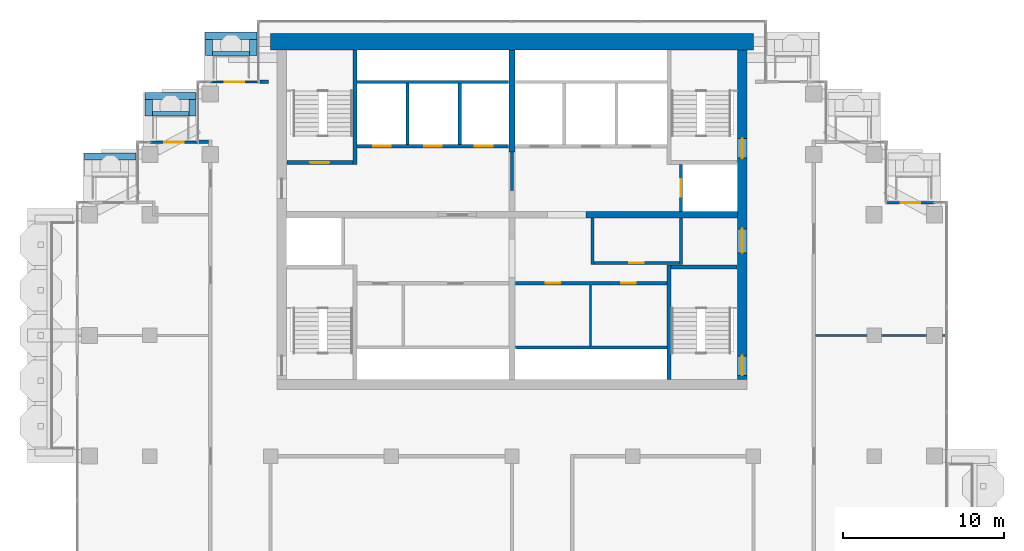
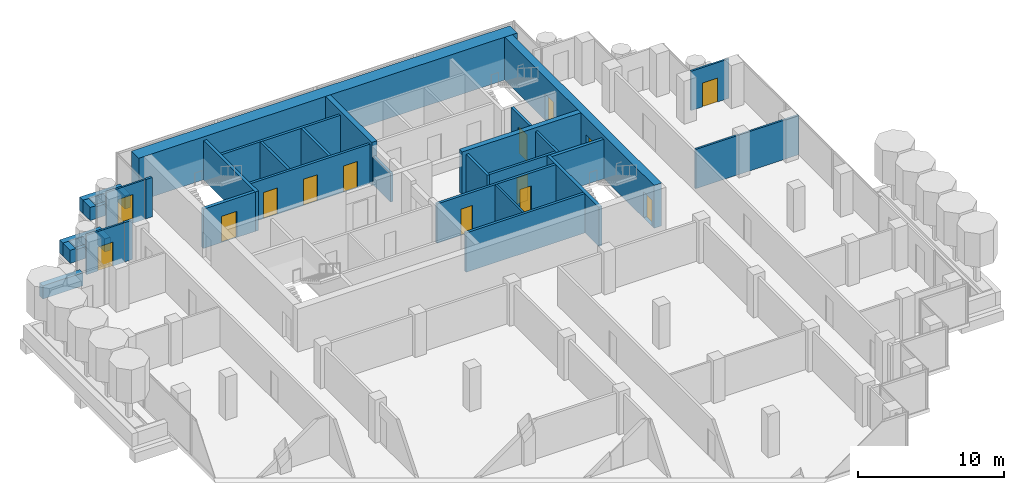
# One storey, part 13 of 17: 35 walls, 14 doors, 14 openings.
"""IFC4 building model written with IfcOpenShell, lengths in metres."""

from ifc_helpers import new_model, si_unit, direction, frame, frame_2d, origin, place, context, subcontext, project, spatial, rectangle, extrude, material, layer, layer_set, type_object, element, fill, save


model = new_model("IFC4")

# Units and contexts
model_context = context("Model", 3, precision=1e-05, world=origin(), true_north=direction((0.0, 1.0)))
body_context = subcontext(model_context, "Body", "Model", "MODEL_VIEW")
ifc_project = project(units=[si_unit("LENGTHUNIT", "METRE"), si_unit("AREAUNIT", "SQUARE_METRE"), si_unit("VOLUMEUNIT", "CUBIC_METRE"), si_unit("PLANEANGLEUNIT", "RADIAN"), si_unit("MASSUNIT", "GRAM", prefix="KILO")], contexts=[model_context])

# Site, building, storey
site_placement = place(None, origin())
site = spatial("IfcSite", under=ifc_project, at=site_placement, CompositionType="ELEMENT")
building_placement = place(site_placement, origin())
building = spatial("IfcBuilding", under=site, at=building_placement, Name="Pilkhan Gate Tower", CompositionType="ELEMENT")
storey_placement = place(building_placement, frame((0.0, 0.0, 206.699951171875)))
storey = spatial("IfcBuildingStorey", under=building, at=storey_placement, Name="L53", CompositionType="ELEMENT", Elevation=206.699951171875)

# Walls
ifc_material_1 = material(Name="Concrete C40/50", Category="concrete")
ifc_layer_1 = layer(ifc_material_1, 0.25)
ifc_layer_set_1 = layer_set([ifc_layer_1], Name="Balcony planter BP250")
wall_type_1 = type_object("IfcWallType", Name="Balcony planter BP250", PredefinedType="USERDEFINED", material=ifc_layer_set_1)
wall_1_placement = place(storey_placement, frame((56.39990234375, 92.52490234375, 0.0), z_axis=(0.0, 0.0, 1.0), x_axis=(1.0, 0.0, 0.0)))
element("IfcWall", 1, at=wall_1_placement, inside=storey, type_object=wall_type_1, Name="Balcony planter L53 N", ObjectType="BALCONY PLANTER", PredefinedType="USERDEFINED", context=body_context, shape_type="SweptSolid", body=[
    extrude(rectangle(XDim=2.300048828125, YDim=0.25, at=frame_2d((1.14990234375, 0.0))), origin(), (0.0, 0.0, 1.0), 1.0),
])
wall_2_placement = place(storey_placement, frame((52.64990234375, 88.77490234375, 0.0), z_axis=(0.0, 0.0, 1.0), x_axis=(1.0, 0.0, 0.0)))
element("IfcWall", 2, at=wall_2_placement, inside=storey, type_object=wall_type_1, Name="Balcony planter L53 N", ObjectType="BALCONY PLANTER", PredefinedType="USERDEFINED", context=body_context, shape_type="SweptSolid", body=[
    extrude(rectangle(XDim=2.280029296875, YDim=0.25, at=frame_2d((1.14013671875, 0.0))), origin(), (0.0, 0.0, 1.0), 1.0),
])
ifc_material_2 = material(Name="Board-marked Concrete C40/50", Category="concrete")
ifc_layer_2 = layer(ifc_material_2, 0.449951171875)
ifc_layer_set_2 = layer_set([ifc_layer_2], Name="Balcony planter lip BL450")
wall_type_2 = type_object("IfcWallType", Name="Balcony planter lip BL450", PredefinedType="USERDEFINED", material=ifc_layer_set_2)
wall_3_placement = place(storey_placement, frame((55.949951171875, 93.625, 0.0), z_axis=(0.0, 0.0, 1.0), x_axis=(1.0, 0.0, 0.0)))
element("IfcWall", 3, at=wall_3_placement, inside=storey, type_object=wall_type_2, Name="Balcony planter L53 N", ObjectType="BALCONY PLANTER", PredefinedType="USERDEFINED", context=body_context, shape_type="SweptSolid", body=[
    extrude(rectangle(XDim=3.199951171875, YDim=0.449951171875, at=frame_2d((1.60009765625, 0.0))), origin(), (0.0, 0.0, 1.0), 1.10009765625),
])
for number, where, z_axis, x_axis, name in (
    (4, (56.175048828125, 92.39990234375, 0.0), (0.0, 0.0, 1.0), (0.0, 1.0, 0.0), "Balcony planter L53 N"),
    (5, (58.925048828125, 92.39990234375, 0.0), (0.0, 0.0, 1.0), (0.0, 1.0, 0.0), "Balcony planter L53 N"),
):
    element("IfcWall", number, at=place(storey_placement, frame(where, z_axis=z_axis, x_axis=x_axis)), inside=storey, type_object=wall_type_2, Name=name, ObjectType="BALCONY PLANTER", PredefinedType="USERDEFINED", context=body_context, shape_type="SweptSolid", body=[
        extrude(rectangle(XDim=1.0, YDim=0.449951171875, at=frame_2d((0.5, 0.0))), origin(), (0.0, 0.0, 1.0), 1.10009765625),
    ])
wall_4_placement = place(storey_placement, frame((52.199951171875, 89.875, 0.0), z_axis=(0.0, 0.0, 1.0), x_axis=(1.0, 0.0, 0.0)))
element("IfcWall", 6, at=wall_4_placement, inside=storey, type_object=wall_type_2, Name="Balcony planter L53 N", ObjectType="BALCONY PLANTER", PredefinedType="USERDEFINED", context=body_context, shape_type="SweptSolid", body=[
    extrude(rectangle(XDim=3.179931640625, YDim=0.449951171875, at=frame_2d((1.58984375, 0.0))), origin(), (0.0, 0.0, 1.0), 1.10009765625),
])
for number, where, z_axis, x_axis, name in (
    (7, (52.425048828125, 88.64990234375, 0.0), (0.0, 0.0, 1.0), (0.0, 1.0, 0.0), "Balcony planter L53 N"),
    (8, (55.155029296875, 88.64990234375, 0.0), (0.0, 0.0, 1.0), (0.0, 1.0, 0.0), "Balcony planter L53 N"),
):
    element("IfcWall", number, at=place(storey_placement, frame(where, z_axis=z_axis, x_axis=x_axis)), inside=storey, type_object=wall_type_2, Name=name, ObjectType="BALCONY PLANTER", PredefinedType="USERDEFINED", context=body_context, shape_type="SweptSolid", body=[
        extrude(rectangle(XDim=1.0, YDim=0.449951171875, at=frame_2d((0.5, 0.0))), origin(), (0.0, 0.0, 1.0), 1.10009765625),
    ])
wall_5_placement = place(storey_placement, frame((48.449951171875, 86.125, 0.0), z_axis=(0.0, 0.0, 1.0), x_axis=(1.0, 0.0, 0.0)))
element("IfcWall", 9, at=wall_5_placement, inside=storey, type_object=wall_type_2, Name="Balcony planter L53 N", ObjectType="BALCONY PLANTER", PredefinedType="USERDEFINED", context=body_context, shape_type="SweptSolid", body=[
    extrude(rectangle(XDim=3.179931640625, YDim=0.449951171875, at=frame_2d((1.58984375, 0.0))), origin(), (0.0, 0.0, 1.0), 1.10009765625),
])
ifc_material_3 = material(Name="Concrete C50/60", Category="concrete")
ifc_layer_3 = layer(ifc_material_3, 1.0)
ifc_layer_set_3 = layer_set([ifc_layer_3], Name="Core wall CW1000 C50/60")
wall_type_3 = type_object("IfcWallType", Name="Core wall CW1000 C50/60", PredefinedType="SHEAR", material=ifc_layer_set_3)
wall_6_placement = place(storey_placement, frame((90.0, 93.25, 0.0), z_axis=(0.0, 0.0, 1.0), x_axis=(-1.0, 0.0, 0.0)))
element("IfcWall", 10, at=wall_6_placement, inside=storey, type_object=wall_type_3, Name="Core wall N L53", PredefinedType="SHEAR", context=body_context, shape_type="SweptSolid", body=[
    extrude(rectangle(XDim=30.0, YDim=1.0, at=frame_2d((15.0, 0.0))), origin(), (0.0, 0.0, 1.0), 3.60009765625),
])

# Wall, openings, doors
ifc_layer_4 = layer(ifc_material_3, 0.60009765625)
ifc_layer_set_4 = layer_set([ifc_layer_4], Name="Core wall CW600 C50/60")
wall_type_4 = type_object("IfcWallType", Name="Core wall CW600 C50/60", PredefinedType="SHEAR", material=ifc_layer_set_4)
wall_7_placement = place(storey_placement, frame((89.300048828125, 72.25, 0.0), z_axis=(0.0, 0.0, 1.0), x_axis=(0.0, 1.0, 0.0)))
wall_7 = element("IfcWall", 11, at=wall_7_placement, inside=storey, type_object=wall_type_4, Name="Core wall E L53", PredefinedType="SHEAR", context=body_context, shape_type="SweptSolid", body=[
    extrude(rectangle(XDim=20.5, YDim=0.60009765625, at=frame_2d((10.25, 0.0))), origin(), (0.0, 0.0, 1.0), 3.60009765625),
])
opening_1_placement = place(wall_7_placement, frame((0.27490234375, 0.0, 0.0)))
opening_1 = element("IfcOpeningElement", 12, at=opening_1_placement, cuts=wall_7, Name="Opening L53-03", PredefinedType="OPENING", context=body_context, shape_type="SweptSolid", body=[
    extrude(rectangle(XDim=1.199951171875, YDim=2.199951171875, at=frame_2d((0.60009765625, 1.10009765625))), frame((0.0, 0.31005859375, 0.0), z_axis=(0.0, -1.0, 0.0), x_axis=(1.0, 0.0, 0.0)), (0.0, 0.0, 1.0), 0.6201171875),
])
opening_2_placement = place(wall_7_placement, frame((13.77490234375, 0.0, 0.0)))
opening_2 = element("IfcOpeningElement", 13, at=opening_2_placement, cuts=wall_7, Name="Opening L53-05", PredefinedType="OPENING", context=body_context, shape_type="SweptSolid", body=[
    extrude(rectangle(XDim=1.199951171875, YDim=2.199951171875, at=frame_2d((0.60009765625, 1.10009765625))), frame((0.0, 0.31005859375, 0.0), z_axis=(0.0, -1.0, 0.0), x_axis=(1.0, 0.0, 0.0)), (0.0, 0.0, 1.0), 0.6201171875),
])
opening_3_placement = place(wall_7_placement, frame((7.875, 0.0, 0.0)))
opening_3 = element("IfcOpeningElement", 14, at=opening_3_placement, cuts=wall_7, Name="Opening L53-06", PredefinedType="OPENING", context=body_context, shape_type="SweptSolid", body=[
    extrude(rectangle(XDim=1.5, YDim=2.199951171875, at=frame_2d((0.75, 1.10009765625))), frame((0.0, 0.31005859375, 0.0), z_axis=(0.0, -1.0, 0.0), x_axis=(1.0, 0.0, 0.0)), (0.0, 0.0, 1.0), 0.6201171875),
])
ifc_material_4 = material(Name="Steel framed glazed door, 60 minute fire resisting", Category="steel")
door_type_1 = type_object("IfcDoorType", Name="Lobby door D09 1500x2200", OperationType="DOUBLE_DOOR_SINGLE_SWING", PredefinedType="DOOR", material=ifc_material_4)
door_1_placement = place(opening_3_placement, origin())
door_1 = element("IfcDoor", 15, at=door_1_placement, inside=storey, type_object=door_type_1, Name="Core door", OperationType="DOUBLE_DOOR_SINGLE_SWING", OverallHeight=2.199951171875, OverallWidth=1.5, PredefinedType="DOOR", context=body_context, shape_type="SweptSolid", body=[
    extrude(rectangle(XDim=1.5, YDim=2.199951171875, at=frame_2d((0.75, 1.10009765625))), frame((0.0, 0.02490234375, 0.0), z_axis=(0.0, -1.0, 0.0), x_axis=(1.0, 0.0, 0.0)), (0.0, 0.0, 1.0), 0.050048828125),
])
fill(opening_3, door_1)
ifc_material_5 = material(Name="Steel door, 120 minute fire resisting, panic bar", Category="steel")
door_type_2 = type_object("IfcDoorType", Name="Stair door D11 1200x2200", OperationType="SINGLE_SWING_LEFT", PredefinedType="DOOR", material=ifc_material_5)
door_2_placement = place(opening_1_placement, origin())
door_2 = element("IfcDoor", 16, at=door_2_placement, inside=storey, type_object=door_type_2, Name="Stair ST1 door", OperationType="SINGLE_SWING_RIGHT", OverallHeight=2.199951171875, OverallWidth=1.199951171875, PredefinedType="DOOR", context=body_context, shape_type="SweptSolid", body=[
    extrude(rectangle(XDim=1.199951171875, YDim=2.199951171875, at=frame_2d((0.60009765625, 1.10009765625))), frame((0.0, 0.02490234375, 0.0), z_axis=(0.0, -1.0, 0.0), x_axis=(1.0, 0.0, 0.0)), (0.0, 0.0, 1.0), 0.050048828125),
])
fill(opening_1, door_2)
door_3_placement = place(opening_2_placement, origin())
door_3 = element("IfcDoor", 17, at=door_3_placement, inside=storey, type_object=door_type_2, Name="Stair ST4 door", OperationType="SINGLE_SWING_LEFT", OverallHeight=2.199951171875, OverallWidth=1.199951171875, PredefinedType="DOOR", context=body_context, shape_type="SweptSolid", body=[
    extrude(rectangle(XDim=1.199951171875, YDim=2.199951171875, at=frame_2d((0.60009765625, 1.10009765625))), frame((0.0, 0.02490234375, 0.0), z_axis=(0.0, -1.0, 0.0), x_axis=(1.0, 0.0, 0.0)), (0.0, 0.0, 1.0), 0.050048828125),
])
fill(opening_2, door_3)

# Walls
ifc_material_6 = material(Name="Dense blockwork", Category="masonry")
ifc_layer_5 = layer(ifc_material_6, 0.199951171875)
ifc_layer_set_5 = layer_set([ifc_layer_5], Name="Corridor wall FW200")
wall_type_5 = type_object("IfcWallType", Name="Corridor wall FW200", PredefinedType="PARTITIONING", material=ifc_layer_set_5)
wall_8_placement = place(storey_placement, frame((55.510009765625, 87.030029296875, 0.0), z_axis=(0.0, 0.0, 1.0), x_axis=(1.0, 0.0, 0.0)))
element("IfcWall", 18, at=wall_8_placement, inside=storey, type_object=wall_type_5, Name="Partition L53", PredefinedType="PARTITIONING", context=body_context, shape_type="SweptSolid", body=[
    extrude(rectangle(XDim=0.639892578125, YDim=0.199951171875, at=frame_2d((0.31982421875, 0.0))), origin(), (0.0, 0.0, 1.0), 3.300048828125),
])
wall_9_placement = place(storey_placement, frame((59.35498046875, 90.764892578125, 0.0), z_axis=(0.0, 0.0, 1.0), x_axis=(1.0, 0.0, 0.0)))
element("IfcWall", 19, at=wall_9_placement, inside=storey, type_object=wall_type_5, Name="Partition L53", PredefinedType="PARTITIONING", context=body_context, shape_type="SweptSolid", body=[
    extrude(rectangle(XDim=0.52490234375, YDim=0.199951171875, at=frame_2d((0.262451171875, 0.0))), origin(), (0.0, 0.0, 1.0), 3.300048828125),
])

# Wall, opening, door
ifc_material_7 = material(Name="Pale anodised aluminium, clear laminated glazing", Category="aluminium")
ifc_layer_6 = layer(ifc_material_7, 0.14990234375)
ifc_layer_set_6 = layer_set([ifc_layer_6], Name="Facade infill wall IW150")
wall_type_6 = type_object("IfcWallType", Name="Facade infill wall IW150", PredefinedType="SOLIDWALL", material=ifc_layer_set_6)
wall_10_placement = place(storey_placement, frame((98.25, 83.25, 0.0), z_axis=(0.0, 0.0, 1.0), x_axis=(1.0, 0.0, 0.0)))
wall_10 = element("IfcWall", 20, at=wall_10_placement, inside=storey, type_object=wall_type_6, Name="Infill wall L53 N", PredefinedType="SOLIDWALL", context=body_context, shape_type="SweptSolid", body=[
    extrude(rectangle(XDim=3.0, YDim=0.14990234375, at=frame_2d((1.5, 0.0))), origin(), (0.0, 0.0, 1.0), 3.300048828125),
])
opening_4_placement = place(wall_10_placement, frame((0.89990234375, 0.0, 0.0)))
opening_4 = element("IfcOpeningElement", 21, at=opening_4_placement, cuts=wall_10, Name="Opening D1L", PredefinedType="OPENING", context=body_context, shape_type="SweptSolid", body=[
    extrude(rectangle(XDim=1.199951171875, YDim=2.0, at=frame_2d((0.60009765625, 1.0))), frame((0.0, 0.0849609375, 0.0), z_axis=(0.0, -1.0, 0.0), x_axis=(1.0, 0.0, 0.0)), (0.0, 0.0, 1.0), 0.169921875),
])
ifc_material_8 = material(Name="Pale anodised aluminium, clear glazing", Category="aluminium")
door_type_3 = type_object("IfcDoorType", Name="Balcony door D1L 1200x2000", OperationType="SINGLE_SWING_LEFT", PredefinedType="DOOR", material=ifc_material_8)
door_4_placement = place(opening_4_placement, origin())
door_4 = element("IfcDoor", 22, at=door_4_placement, inside=storey, type_object=door_type_3, Name="Balcony door L53", OperationType="SINGLE_SWING_LEFT", OverallHeight=2.0, OverallWidth=1.199951171875, PredefinedType="DOOR", context=body_context, shape_type="SweptSolid", body=[
    extrude(rectangle(XDim=1.199951171875, YDim=2.0, at=frame_2d((0.60009765625, 1.0))), frame((0.0, 0.02490234375, 0.0), z_axis=(0.0, -1.0, 0.0), x_axis=(1.0, 0.0, 0.0)), (0.0, 0.0, 1.0), 0.050048828125),
])
fill(opening_4, door_4)

wall_11_placement = place(storey_placement, frame((56.25, 90.75, 0.0), z_axis=(0.0, 0.0, 1.0), x_axis=(1.0, 0.0, 0.0)))
wall_11 = element("IfcWall", 23, at=wall_11_placement, inside=storey, type_object=wall_type_6, Name="Infill wall L53 N", PredefinedType="SOLIDWALL", context=body_context, shape_type="SweptSolid", body=[
    extrude(rectangle(XDim=3.0, YDim=0.14990234375, at=frame_2d((1.5, 0.0))), origin(), (0.0, 0.0, 1.0), 3.300048828125),
])
opening_5_placement = place(wall_11_placement, frame((0.89990234375, 0.0, 0.0)))
opening_5 = element("IfcOpeningElement", 24, at=opening_5_placement, cuts=wall_11, Name="Opening D1", PredefinedType="OPENING", context=body_context, shape_type="SweptSolid", body=[
    extrude(rectangle(XDim=1.199951171875, YDim=2.39990234375, at=frame_2d((0.60009765625, 1.199951171875))), frame((0.0, 0.0849609375, 0.0), z_axis=(0.0, -1.0, 0.0), x_axis=(1.0, 0.0, 0.0)), (0.0, 0.0, 1.0), 0.169921875),
])
door_type_4 = type_object("IfcDoorType", Name="Balcony door D1 1200x2400", OperationType="SINGLE_SWING_LEFT", PredefinedType="DOOR", material=ifc_material_8)
door_5_placement = place(opening_5_placement, origin())
door_5 = element("IfcDoor", 25, at=door_5_placement, inside=storey, type_object=door_type_4, Name="Balcony door L53", OperationType="SINGLE_SWING_LEFT", OverallHeight=2.39990234375, OverallWidth=1.199951171875, PredefinedType="DOOR", context=body_context, shape_type="SweptSolid", body=[
    extrude(rectangle(XDim=1.199951171875, YDim=2.39990234375, at=frame_2d((0.60009765625, 1.199951171875))), frame((0.0, 0.02490234375, 0.0), z_axis=(0.0, -1.0, 0.0), x_axis=(1.0, 0.0, 0.0)), (0.0, 0.0, 1.0), 0.050048828125),
])
fill(opening_5, door_5)

wall_12_placement = place(storey_placement, frame((52.5, 87.0, 0.0), z_axis=(0.0, 0.0, 1.0), x_axis=(1.0, 0.0, 0.0)))
wall_12 = element("IfcWall", 26, at=wall_12_placement, inside=storey, type_object=wall_type_6, Name="Infill wall L53 N", PredefinedType="SOLIDWALL", context=body_context, shape_type="SweptSolid", body=[
    extrude(rectangle(XDim=3.0, YDim=0.14990234375, at=frame_2d((1.5, 0.0))), origin(), (0.0, 0.0, 1.0), 3.300048828125),
])
opening_6_placement = place(wall_12_placement, frame((0.89990234375, 0.0, 0.0)))
opening_6 = element("IfcOpeningElement", 27, at=opening_6_placement, cuts=wall_12, Name="Opening D1L", PredefinedType="OPENING", context=body_context, shape_type="SweptSolid", body=[
    extrude(rectangle(XDim=1.199951171875, YDim=2.0, at=frame_2d((0.60009765625, 1.0))), frame((0.0, 0.0849609375, 0.0), z_axis=(0.0, -1.0, 0.0), x_axis=(1.0, 0.0, 0.0)), (0.0, 0.0, 1.0), 0.169921875),
])
door_6_placement = place(opening_6_placement, origin())
door_6 = element("IfcDoor", 28, at=door_6_placement, inside=storey, type_object=door_type_3, Name="Balcony door L53", OperationType="SINGLE_SWING_LEFT", OverallHeight=2.0, OverallWidth=1.199951171875, PredefinedType="DOOR", context=body_context, shape_type="SweptSolid", body=[
    extrude(rectangle(XDim=1.199951171875, YDim=2.0, at=frame_2d((0.60009765625, 1.0))), frame((0.0, 0.02490234375, 0.0), z_axis=(0.0, -1.0, 0.0), x_axis=(1.0, 0.0, 0.0)), (0.0, 0.0, 1.0), 0.050048828125),
])
fill(opening_6, door_6)

# Wall
ifc_layer_7 = layer(ifc_material_6, 0.199951171875)
ifc_layer_set_7 = layer_set([ifc_layer_7], Name="Lobby wall LW200")
wall_type_7 = type_object("IfcWallType", Name="Lobby wall LW200", PredefinedType="PARTITIONING", material=ifc_layer_set_7)
wall_13_placement = place(storey_placement, frame((75.2099609375, 74.25, 0.0), z_axis=(0.0, 0.0, 1.0), x_axis=(1.0, 0.0, 0.0)))
element("IfcWall", 29, at=wall_13_placement, inside=storey, type_object=wall_type_7, Name="Partition L53", PredefinedType="PARTITIONING", context=body_context, shape_type="SweptSolid", body=[
    extrude(rectangle(XDim=9.4150390625, YDim=0.199951171875, at=frame_2d((4.70751953125, 0.0))), origin(), (0.0, 0.0, 1.0), 3.300048828125),
])

# Wall, openings, doors
wall_14_placement = place(storey_placement, frame((75.2099609375, 78.25, 0.0), z_axis=(0.0, 0.0, 1.0), x_axis=(1.0, 0.0, 0.0)))
wall_14 = element("IfcWall", 30, at=wall_14_placement, inside=storey, type_object=wall_type_7, Name="Partition L53", PredefinedType="PARTITIONING", context=body_context, shape_type="SweptSolid", body=[
    extrude(rectangle(XDim=9.4150390625, YDim=0.199951171875, at=frame_2d((4.70751953125, 0.0))), origin(), (0.0, 0.0, 1.0), 3.300048828125),
])
opening_7_placement = place(wall_14_placement, frame((1.89990234375, 0.0, 0.0)))
opening_7 = element("IfcOpeningElement", 31, at=opening_7_placement, cuts=wall_14, Name="Opening L53-11", PredefinedType="OPENING", context=body_context, shape_type="SweptSolid", body=[
    extrude(rectangle(XDim=0.89990234375, YDim=2.199951171875, at=frame_2d((0.449951171875, 1.10009765625))), frame((0.0, 0.10986328125, 0.0), z_axis=(0.0, -1.0, 0.0), x_axis=(1.0, 0.0, 0.0)), (0.0, 0.0, 1.0), 0.219970703125),
])
opening_8_placement = place(wall_14_placement, frame((6.56494140625, 0.0, 0.0)))
opening_8 = element("IfcOpeningElement", 32, at=opening_8_placement, cuts=wall_14, Name="Opening L53-12", PredefinedType="OPENING", context=body_context, shape_type="SweptSolid", body=[
    extrude(rectangle(XDim=0.89990234375, YDim=2.199951171875, at=frame_2d((0.449951171875, 1.10009765625))), frame((0.0, 0.10986328125, 0.0), z_axis=(0.0, -1.0, 0.0), x_axis=(1.0, 0.0, 0.0)), (0.0, 0.0, 1.0), 0.219970703125),
])
ifc_material_9 = material(Name="Timber flush door, 60 minute fire resisting, self-closing", Category="wood")
door_type_5 = type_object("IfcDoorType", Name="Store door D05 900x2200", OperationType="SINGLE_SWING_LEFT", PredefinedType="DOOR", material=ifc_material_9)
door_7_placement = place(opening_7_placement, origin())
door_7 = element("IfcDoor", 33, at=door_7_placement, inside=storey, type_object=door_type_5, Name="Store door", OperationType="SINGLE_SWING_LEFT", OverallHeight=2.199951171875, OverallWidth=0.89990234375, PredefinedType="DOOR", context=body_context, shape_type="SweptSolid", body=[
    extrude(rectangle(XDim=0.89990234375, YDim=2.199951171875, at=frame_2d((0.449951171875, 1.10009765625))), frame((0.0, 0.02490234375, 0.0), z_axis=(0.0, -1.0, 0.0), x_axis=(1.0, 0.0, 0.0)), (0.0, 0.0, 1.0), 0.050048828125),
])
fill(opening_7, door_7)
door_8_placement = place(opening_8_placement, origin())
door_8 = element("IfcDoor", 34, at=door_8_placement, inside=storey, type_object=door_type_5, Name="Store door", OperationType="SINGLE_SWING_RIGHT", OverallHeight=2.199951171875, OverallWidth=0.89990234375, PredefinedType="DOOR", context=body_context, shape_type="SweptSolid", body=[
    extrude(rectangle(XDim=0.89990234375, YDim=2.199951171875, at=frame_2d((0.449951171875, 1.10009765625))), frame((0.0, 0.02490234375, 0.0), z_axis=(0.0, -1.0, 0.0), x_axis=(1.0, 0.0, 0.0)), (0.0, 0.0, 1.0), 0.050048828125),
])
fill(opening_8, door_8)

# Wall, opening, door
wall_15_placement = place(storey_placement, frame((80.10009765625, 79.5, 0.0), z_axis=(0.0, 0.0, 1.0), x_axis=(1.0, 0.0, 0.0)))
wall_15 = element("IfcWall", 35, at=wall_15_placement, inside=storey, type_object=wall_type_7, Name="Partition L53", PredefinedType="PARTITIONING", context=body_context, shape_type="SweptSolid", body=[
    extrude(rectangle(XDim=5.2998046875, YDim=0.199951171875, at=frame_2d((2.64990234375, 0.0))), origin(), (0.0, 0.0, 1.0), 3.300048828125),
])
opening_9_placement = place(wall_15_placement, frame((2.199951171875, 0.0, 0.0)))
opening_9 = element("IfcOpeningElement", 36, at=opening_9_placement, cuts=wall_15, Name="Opening L53-07", PredefinedType="OPENING", context=body_context, shape_type="SweptSolid", body=[
    extrude(rectangle(XDim=0.89990234375, YDim=2.199951171875, at=frame_2d((0.449951171875, 1.10009765625))), frame((0.0, 0.10986328125, 0.0), z_axis=(0.0, -1.0, 0.0), x_axis=(1.0, 0.0, 0.0)), (0.0, 0.0, 1.0), 0.219970703125),
])
door_9_placement = place(opening_9_placement, origin())
door_9 = element("IfcDoor", 37, at=door_9_placement, inside=storey, type_object=door_type_5, Name="Store door", OperationType="SINGLE_SWING_RIGHT", OverallHeight=2.199951171875, OverallWidth=0.89990234375, PredefinedType="DOOR", context=body_context, shape_type="SweptSolid", body=[
    extrude(rectangle(XDim=0.89990234375, YDim=2.199951171875, at=frame_2d((0.449951171875, 1.10009765625))), frame((0.0, 0.02490234375, 0.0), z_axis=(0.0, -1.0, 0.0), x_axis=(1.0, 0.0, 0.0)), (0.0, 0.0, 1.0), 0.050048828125),
])
fill(opening_9, door_9)

# Walls
wall_16_placement = place(storey_placement, frame((75.0, 84.010009765625, 0.0), z_axis=(0.0, 0.0, 1.0), x_axis=(0.0, 1.0, 0.0)))
element("IfcWall", 38, at=wall_16_placement, inside=storey, type_object=wall_type_7, Name="Partition L53", PredefinedType="PARTITIONING", context=body_context, shape_type="SweptSolid", body=[
    extrude(rectangle(XDim=2.3798828125, YDim=0.199951171875, at=frame_2d((1.18994140625, 0.0))), origin(), (0.0, 0.0, 1.0), 2.400146484375),
])
for number, where, z_axis, x_axis, name in (
    (39, (80.0, 79.39990234375, 0.0), (0.0, 0.0, 1.0), (0.0, 1.0, 0.0), "Partition L53"),
    (40, (85.5, 79.39990234375, 0.0), (0.0, 0.0, 1.0), (0.0, 1.0, 0.0), "Partition L53"),
):
    element("IfcWall", number, at=place(storey_placement, frame(where, z_axis=z_axis, x_axis=x_axis)), inside=storey, type_object=wall_type_7, Name=name, PredefinedType="PARTITIONING", context=body_context, shape_type="SweptSolid", body=[
        extrude(rectangle(XDim=2.89013671875, YDim=0.199951171875, at=frame_2d((1.445068359375, 0.0))), origin(), (0.0, 0.0, 1.0), 3.300048828125),
    ])
ifc_material_10 = material(Name="Blockwork partition, plastered both sides", Category="masonry")
ifc_layer_8 = layer(ifc_material_10, 0.14990234375)
ifc_layer_set_8 = layer_set([ifc_layer_8], Name="Partition PW150")
wall_type_8 = type_object("IfcWallType", Name="Partition PW150", PredefinedType="PARTITIONING", material=ifc_layer_set_8)
wall_17_placement = place(storey_placement, frame((93.85009765625, 75.0, 0.0), z_axis=(0.0, 0.0, 1.0), x_axis=(1.0, 0.0, 0.0)))
element("IfcWall", 41, at=wall_17_placement, inside=storey, type_object=wall_type_8, Name="Partition L53", PredefinedType="PARTITIONING", context=body_context, shape_type="SweptSolid", body=[
    extrude(rectangle(XDim=8.164794921875, YDim=0.14990234375, at=frame_2d((4.08251953125, 0.0))), origin(), (0.0, 0.0, 1.0), 3.300048828125),
])
wall_18_placement = place(storey_placement, frame((79.875, 74.35009765625, 0.0), z_axis=(0.0, 0.0, 1.0), x_axis=(0.0, 1.0, 0.0)))
element("IfcWall", 42, at=wall_18_placement, inside=storey, type_object=wall_type_8, Name="Partition L53", PredefinedType="PARTITIONING", context=body_context, shape_type="SweptSolid", body=[
    extrude(rectangle(XDim=3.7998046875, YDim=0.14990234375, at=frame_2d((1.89990234375, 0.0))), origin(), (0.0, 0.0, 1.0), 3.300048828125),
])

# Wall, openings, doors
ifc_material_11 = material(Name="Reinforced blockwork shaft wall, 120 minute fire resisting", Category="masonry")
ifc_layer_9 = layer(ifc_material_11, 0.199951171875)
ifc_layer_set_9 = layer_set([ifc_layer_9], Name="Shaft wall SW200")
wall_type_9 = type_object("IfcWallType", Name="Shaft wall SW200", PredefinedType="PARTITIONING", material=ifc_layer_set_9)
wall_19_placement = place(storey_placement, frame((65.375, 86.75, 0.0), z_axis=(0.0, 0.0, 1.0), x_axis=(1.0, 0.0, 0.0)))
wall_19 = element("IfcWall", 43, at=wall_19_placement, inside=storey, type_object=wall_type_9, Name="Partition L53", PredefinedType="PARTITIONING", context=body_context, shape_type="SweptSolid", body=[
    extrude(rectangle(XDim=9.4150390625, YDim=0.199951171875, at=frame_2d((4.70751953125, 0.0))), origin(), (0.0, 0.0, 1.0), 3.300048828125),
])
opening_10_placement = place(wall_19_placement, frame((1.0, 0.0, 0.0)))
opening_10 = element("IfcOpeningElement", 44, at=opening_10_placement, cuts=wall_19, Name="Opening LD", PredefinedType="OPENING", context=body_context, shape_type="SweptSolid", body=[
    extrude(rectangle(XDim=1.10009765625, YDim=2.199951171875, at=frame_2d((0.550048828125, 1.10009765625))), frame((0.0, 0.10986328125, 0.0), z_axis=(0.0, -1.0, 0.0), x_axis=(1.0, 0.0, 0.0)), (0.0, 0.0, 1.0), 0.219970703125),
])
opening_11_placement = place(wall_19_placement, frame((4.175048828125, 0.0, 0.0)))
opening_11 = element("IfcOpeningElement", 45, at=opening_11_placement, cuts=wall_19, Name="Opening LD", PredefinedType="OPENING", context=body_context, shape_type="SweptSolid", body=[
    extrude(rectangle(XDim=1.10009765625, YDim=2.199951171875, at=frame_2d((0.550048828125, 1.10009765625))), frame((0.0, 0.10986328125, 0.0), z_axis=(0.0, -1.0, 0.0), x_axis=(1.0, 0.0, 0.0)), (0.0, 0.0, 1.0), 0.219970703125),
])
opening_12_placement = place(wall_19_placement, frame((7.324951171875, 0.0, 0.0)))
opening_12 = element("IfcOpeningElement", 46, at=opening_12_placement, cuts=wall_19, Name="Opening LD", PredefinedType="OPENING", context=body_context, shape_type="SweptSolid", body=[
    extrude(rectangle(XDim=1.10009765625, YDim=2.199951171875, at=frame_2d((0.550048828125, 1.10009765625))), frame((0.0, 0.10986328125, 0.0), z_axis=(0.0, -1.0, 0.0), x_axis=(1.0, 0.0, 0.0)), (0.0, 0.0, 1.0), 0.219970703125),
])
ifc_material_12 = material(Name="Stainless steel centre-opening landing door, 120 minute fire resisting", Category="steel")
door_type_6 = type_object("IfcDoorType", Name="Lift landing door LD 1100x2200", OperationType="DOUBLE_DOOR_SLIDING", PredefinedType="DOOR", material=ifc_material_12)
door_10_placement = place(opening_10_placement, origin())
door_10 = element("IfcDoor", 47, at=door_10_placement, inside=storey, type_object=door_type_6, Name="Landing door FF1", OperationType="DOUBLE_DOOR_SLIDING", OverallHeight=2.199951171875, OverallWidth=1.10009765625, PredefinedType="DOOR", context=body_context, shape_type="SweptSolid", body=[
    extrude(rectangle(XDim=1.10009765625, YDim=2.199951171875, at=frame_2d((0.550048828125, 1.10009765625))), frame((0.0, 0.02490234375, 0.0), z_axis=(0.0, -1.0, 0.0), x_axis=(1.0, 0.0, 0.0)), (0.0, 0.0, 1.0), 0.050048828125),
])
fill(opening_10, door_10)
door_11_placement = place(opening_11_placement, origin())
door_11 = element("IfcDoor", 48, at=door_11_placement, inside=storey, type_object=door_type_6, Name="Landing door FF2", OperationType="DOUBLE_DOOR_SLIDING", OverallHeight=2.199951171875, OverallWidth=1.10009765625, PredefinedType="DOOR", context=body_context, shape_type="SweptSolid", body=[
    extrude(rectangle(XDim=1.10009765625, YDim=2.199951171875, at=frame_2d((0.550048828125, 1.10009765625))), frame((0.0, 0.02490234375, 0.0), z_axis=(0.0, -1.0, 0.0), x_axis=(1.0, 0.0, 0.0)), (0.0, 0.0, 1.0), 0.050048828125),
])
fill(opening_11, door_11)
door_12_placement = place(opening_12_placement, origin())
door_12 = element("IfcDoor", 49, at=door_12_placement, inside=storey, type_object=door_type_6, Name="Landing door SV1", OperationType="DOUBLE_DOOR_SLIDING", OverallHeight=2.199951171875, OverallWidth=1.10009765625, PredefinedType="DOOR", context=body_context, shape_type="SweptSolid", body=[
    extrude(rectangle(XDim=1.10009765625, YDim=2.199951171875, at=frame_2d((0.550048828125, 1.10009765625))), frame((0.0, 0.02490234375, 0.0), z_axis=(0.0, -1.0, 0.0), x_axis=(1.0, 0.0, 0.0)), (0.0, 0.0, 1.0), 0.050048828125),
])
fill(opening_12, door_12)

# Walls
wall_20_placement = place(storey_placement, frame((65.375, 90.75, 0.0), z_axis=(0.0, 0.0, 1.0), x_axis=(1.0, 0.0, 0.0)))
element("IfcWall", 50, at=wall_20_placement, inside=storey, type_object=wall_type_9, Name="Partition L53", PredefinedType="PARTITIONING", context=body_context, shape_type="SweptSolid", body=[
    extrude(rectangle(XDim=9.4150390625, YDim=0.199951171875, at=frame_2d((4.70751953125, 0.0))), origin(), (0.0, 0.0, 1.0), 3.300048828125),
])
for number, where, z_axis, x_axis, name in (
    (51, (68.5, 86.85009765625, 0.0), (0.0, 0.0, 1.0), (0.0, 1.0, 0.0), "Partition L53"),
    (52, (71.75, 86.85009765625, 0.0), (0.0, 0.0, 1.0), (0.0, 1.0, 0.0), "Partition L53"),
):
    element("IfcWall", number, at=place(storey_placement, frame(where, z_axis=z_axis, x_axis=x_axis)), inside=storey, type_object=wall_type_9, Name=name, PredefinedType="PARTITIONING", context=body_context, shape_type="SweptSolid", body=[
        extrude(rectangle(XDim=3.7998046875, YDim=0.199951171875, at=frame_2d((1.89990234375, 0.0))), origin(), (0.0, 0.0, 1.0), 3.300048828125),
    ])

# Wall, opening, door
wall_21_placement = place(storey_placement, frame((85.5, 82.7099609375, 0.0), z_axis=(0.0, 0.0, 1.0), x_axis=(0.0, 1.0, 0.0)))
wall_21 = element("IfcWall", 53, at=wall_21_placement, inside=storey, type_object=wall_type_9, Name="Partition L53", PredefinedType="PARTITIONING", context=body_context, shape_type="SweptSolid", body=[
    extrude(rectangle(XDim=2.9150390625, YDim=0.199951171875, at=frame_2d((1.45751953125, 0.0))), origin(), (0.0, 0.0, 1.0), 3.300048828125),
])
opening_13_placement = place(wall_21_placement, frame((0.89990234375, 0.0, 0.0)))
opening_13 = element("IfcOpeningElement", 54, at=opening_13_placement, cuts=wall_21, Name="Opening LD", PredefinedType="OPENING", context=body_context, shape_type="SweptSolid", body=[
    extrude(rectangle(XDim=1.10009765625, YDim=2.199951171875, at=frame_2d((0.550048828125, 1.10009765625))), frame((0.0, 0.10986328125, 0.0), z_axis=(0.0, -1.0, 0.0), x_axis=(1.0, 0.0, 0.0)), (0.0, 0.0, 1.0), 0.219970703125),
])
door_13_placement = place(opening_13_placement, origin())
door_13 = element("IfcDoor", 55, at=door_13_placement, inside=storey, type_object=door_type_6, Name="Landing door HR4", OperationType="DOUBLE_DOOR_SLIDING", OverallHeight=2.199951171875, OverallWidth=1.10009765625, PredefinedType="DOOR", context=body_context, shape_type="SweptSolid", body=[
    extrude(rectangle(XDim=1.10009765625, YDim=2.199951171875, at=frame_2d((0.550048828125, 1.10009765625))), frame((0.0, 0.02490234375, 0.0), z_axis=(0.0, -1.0, 0.0), x_axis=(1.0, 0.0, 0.0)), (0.0, 0.0, 1.0), 0.050048828125),
])
fill(opening_13, door_13)

# Walls
ifc_layer_10 = layer(ifc_material_3, 0.39990234375)
ifc_layer_set_10 = layer_set([ifc_layer_10], Name="Spine wall SW400 C50/60")
wall_type_10 = type_object("IfcWallType", Name="Spine wall SW400 C50/60", PredefinedType="SHEAR", material=ifc_layer_set_10)
wall_22_placement = place(storey_placement, frame((79.60009765625, 82.5, 0.0), z_axis=(0.0, 0.0, 1.0), x_axis=(1.0, 0.0, 0.0)))
element("IfcWall", 56, at=wall_22_placement, inside=storey, type_object=wall_type_10, Name="Spine wall SP-EW3 L53", PredefinedType="SHEAR", context=body_context, shape_type="SweptSolid", body=[
    extrude(rectangle(XDim=9.39990234375, YDim=0.39990234375, at=frame_2d((4.699951171875, 0.0))), origin(), (0.0, 0.0, 1.0), 3.60009765625),
])
wall_23_placement = place(storey_placement, frame((75.0, 86.39990234375, 0.0), z_axis=(0.0, 0.0, 1.0), x_axis=(0.0, 1.0, 0.0)))
element("IfcWall", 57, at=wall_23_placement, inside=storey, type_object=wall_type_10, Name="Spine wall SP-NS-N2 L53", PredefinedType="SHEAR", context=body_context, shape_type="SweptSolid", body=[
    extrude(rectangle(XDim=6.35009765625, YDim=0.39990234375, at=frame_2d((3.175048828125, 0.0))), origin(), (0.0, 0.0, 1.0), 3.60009765625),
])
ifc_material_13 = material(Name="Reinforced blockwork, 120 minute fire resisting", Category="masonry")
ifc_layer_11 = layer(ifc_material_13, 0.25)
ifc_layer_set_11 = layer_set([ifc_layer_11], Name="Stair enclosure wall SE250")
wall_type_11 = type_object("IfcWallType", Name="Stair enclosure wall SE250", PredefinedType="PARTITIONING", material=ifc_layer_set_11)
wall_24_placement = place(storey_placement, frame((84.875, 79.25, 0.0), z_axis=(0.0, 0.0, 1.0), x_axis=(1.0, 0.0, 0.0)))
element("IfcWall", 58, at=wall_24_placement, inside=storey, type_object=wall_type_11, Name="Partition L53", PredefinedType="PARTITIONING", context=body_context, shape_type="SweptSolid", body=[
    extrude(rectangle(XDim=4.114990234375, YDim=0.25, at=frame_2d((2.0576171875, 0.0))), origin(), (0.0, 0.0, 1.0), 3.300048828125),
])

# Wall, opening, door
wall_25_placement = place(storey_placement, frame((61.010009765625, 85.75, 0.0), z_axis=(0.0, 0.0, 1.0), x_axis=(1.0, 0.0, 0.0)))
wall_25 = element("IfcWall", 59, at=wall_25_placement, inside=storey, type_object=wall_type_11, Name="Partition L53", PredefinedType="PARTITIONING", context=body_context, shape_type="SweptSolid", body=[
    extrude(rectangle(XDim=4.114990234375, YDim=0.25, at=frame_2d((2.0576171875, 0.0))), origin(), (0.0, 0.0, 1.0), 3.300048828125),
])
opening_14_placement = place(wall_25_placement, frame((1.449951171875, 0.0, 0.0)))
opening_14 = element("IfcOpeningElement", 60, at=opening_14_placement, cuts=wall_25, Name="Opening L53-02", PredefinedType="OPENING", context=body_context, shape_type="SweptSolid", body=[
    extrude(rectangle(XDim=1.199951171875, YDim=2.199951171875, at=frame_2d((0.60009765625, 1.10009765625))), frame((0.0, 0.135009765625, 0.0), z_axis=(0.0, -1.0, 0.0), x_axis=(1.0, 0.0, 0.0)), (0.0, 0.0, 1.0), 0.27001953125),
])
door_14_placement = place(opening_14_placement, origin())
door_14 = element("IfcDoor", 61, at=door_14_placement, inside=storey, type_object=door_type_2, Name="Stair ST3 lobby door", OperationType="SINGLE_SWING_LEFT", OverallHeight=2.199951171875, OverallWidth=1.199951171875, PredefinedType="DOOR", context=body_context, shape_type="SweptSolid", body=[
    extrude(rectangle(XDim=1.199951171875, YDim=2.199951171875, at=frame_2d((0.60009765625, 1.10009765625))), frame((0.0, 0.02490234375, 0.0), z_axis=(0.0, -1.0, 0.0), x_axis=(1.0, 0.0, 0.0)), (0.0, 0.0, 1.0), 0.050048828125),
])
fill(opening_14, door_14)

# Walls
for number, where, z_axis, x_axis, name in (
    (62, (65.25, 85.625, 0.0), (0.0, 0.0, 1.0), (0.0, 1.0, 0.0), "Partition L53"),
    (63, (84.75, 72.260009765625, 0.0), (0.0, 0.0, 1.0), (0.0, 1.0, 0.0), "Partition L53"),
):
    element("IfcWall", number, at=place(storey_placement, frame(where, z_axis=z_axis, x_axis=x_axis)), inside=storey, type_object=wall_type_11, Name=name, PredefinedType="PARTITIONING", context=body_context, shape_type="SweptSolid", body=[
        extrude(rectangle(XDim=7.114990234375, YDim=0.25, at=frame_2d((3.5576171875, 0.0))), origin(), (0.0, 0.0, 1.0), 3.300048828125),
    ])

save(model, "model.ifc")
